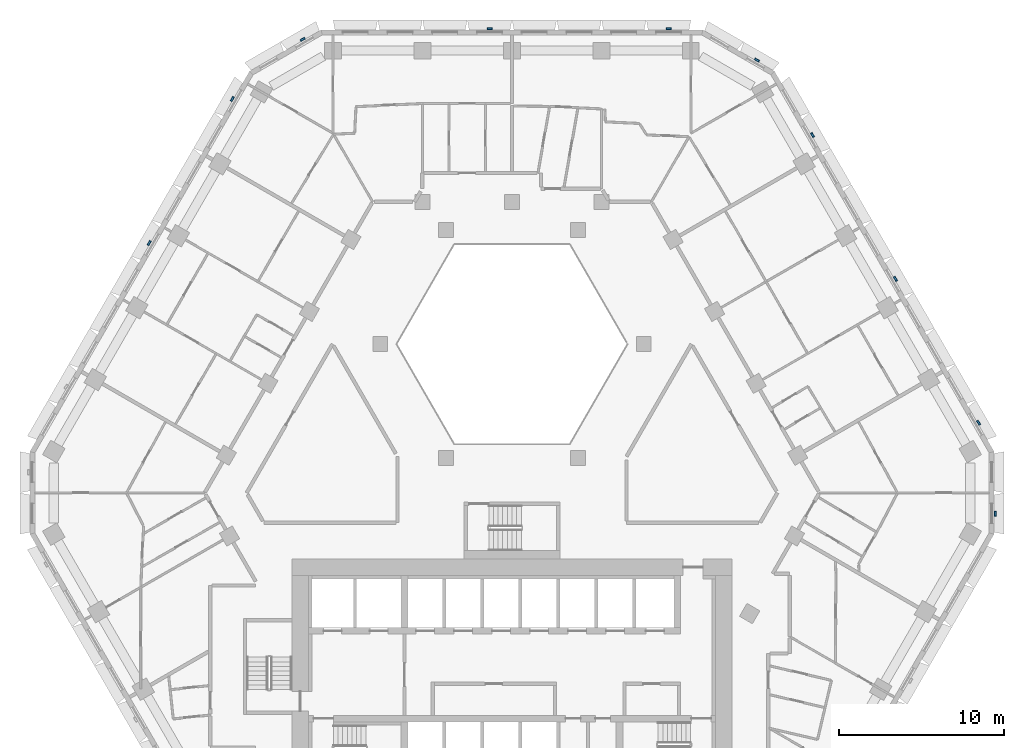
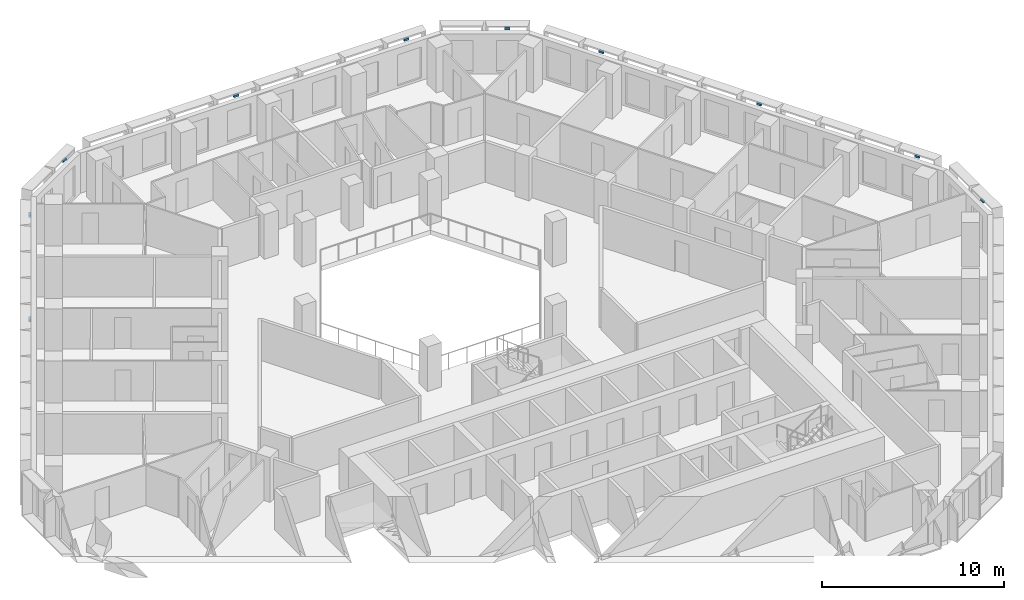
# One storey, part 12 of 18: 10 discrete accessories.
"""IFC4 building model written with IfcOpenShell, lengths in metres."""

from ifc_helpers import new_model, si_unit, direction, frame, origin, place, context, subcontext, project, spatial, polyline, outline, extrude, source, transform, mapped, material, type_object, type_shapes, element, save


model = new_model("IFC4")

# Units and contexts
model_context = context("Model", 3, precision=1e-05, world=origin(), true_north=direction((0.0, 1.0)))
body_context = subcontext(model_context, "Body", "Model", "MODEL_VIEW")
ifc_project = project(units=[si_unit("LENGTHUNIT", "METRE"), si_unit("AREAUNIT", "SQUARE_METRE"), si_unit("VOLUMEUNIT", "CUBIC_METRE"), si_unit("PLANEANGLEUNIT", "RADIAN"), si_unit("MASSUNIT", "GRAM", prefix="KILO")], contexts=[model_context])

# Site, building, storey
site_placement = place(None, origin())
site = spatial("IfcSite", under=ifc_project, at=site_placement, CompositionType="ELEMENT")
building_placement = place(site_placement, origin())
building = spatial("IfcBuilding", under=site, at=building_placement, Name="Beryl Residences", CompositionType="ELEMENT")
storey_placement = place(building_placement, frame((0.0, 0.0, 81.0)))
storey = spatial("IfcBuildingStorey", under=building, at=storey_placement, Name="L24", CompositionType="ELEMENT", Elevation=81.0)

# Discrete accessories
ifc_material = material(Name="Steel S355", Category="steel")
discrete_accessory_type = type_object("IfcDiscreteAccessoryType", Name="BR1 frame bracket 300 x 120 x 150 mm", PredefinedType="BRACKET", material=ifc_material)
shared_shape = source(origin(), body_context, "Body", "SweptSolid", [
    extrude(outline(polyline([(-0.14990234375, 0.0), (0.14990234375, 0.0), (0.14990234375, 0.1201171875), (-0.14990234375, 0.1201171875), (-0.14990234375, 0.0)])), origin(), (0.0, 0.0, 1.0), 0.14990234375),
])
type_shapes(discrete_accessory_type, [shared_shape])
for number, where, z_axis, x_axis, name in (
    (1, (9.471923828125, 27.0, 2.75), (0.0, 0.0, 1.0), (1.0, 0.0, 0.0), "BR1 bracket L24 N 1"),
    (2, (-1.35400390625, 27.0, 2.75), (0.0, 0.0, 1.0), (1.0, 0.0, 0.0), "BR1 bracket L24 N 5"),
    (3, (-12.6298828125, 26.375, 2.75), (0.0, 0.0, 1.0), (0.866025403784, 0.5, 0.0), "BR1 bracket L24 N-NW 1"),
    (4, (-16.865966796875, 22.7880859375, 2.75), (0.0, 0.0, 1.0), (0.5, 0.866025403784, 0.0), "BR1 bracket L24 NW 1"),
    (5, (-21.888916015625, 14.087890625, 2.75), (0.0, 0.0, 1.0), (0.5, 0.866025403784, 0.0), "BR1 bracket L24 NW 5"),
    (6, (29.156982421875, -2.25, 2.75), (0.0, 0.0, 1.0), (0.0, -1.0, 0.0), "BR1 bracket L24 SE-NE 1"),
    (7, (28.16796875, 3.2119140625, 2.75), (0.0, 0.0, 1.0), (0.5, -0.866025403784, 0.0), "BR1 bracket L24 NE 1"),
    (8, (23.14501953125, 11.912109375, 2.75), (0.0, 0.0, 1.0), (0.5, -0.866025403784, 0.0), "BR1 bracket L24 NE 5"),
    (9, (18.1220703125, 20.612060546875, 2.75), (0.0, 0.0, 1.0), (0.5, -0.866025403784, 0.0), "BR1 bracket L24 NE 9"),
    (10, (14.7939453125, 25.125, 2.75), (0.0, 0.0, 1.0), (0.866025403784, -0.5, 0.0), "BR1 bracket L24 NE-N 1"),
):
    element("IfcDiscreteAccessory", number, at=place(storey_placement, frame(where, z_axis=z_axis, x_axis=x_axis)), inside=storey, type_object=discrete_accessory_type, Name=name, PredefinedType="BRACKET", context=body_context, shape_type="MappedRepresentation", body=[
        mapped(shared_shape, transform((0.0, 0.0, 0.0))),
    ])

save(model, "model.ifc")
